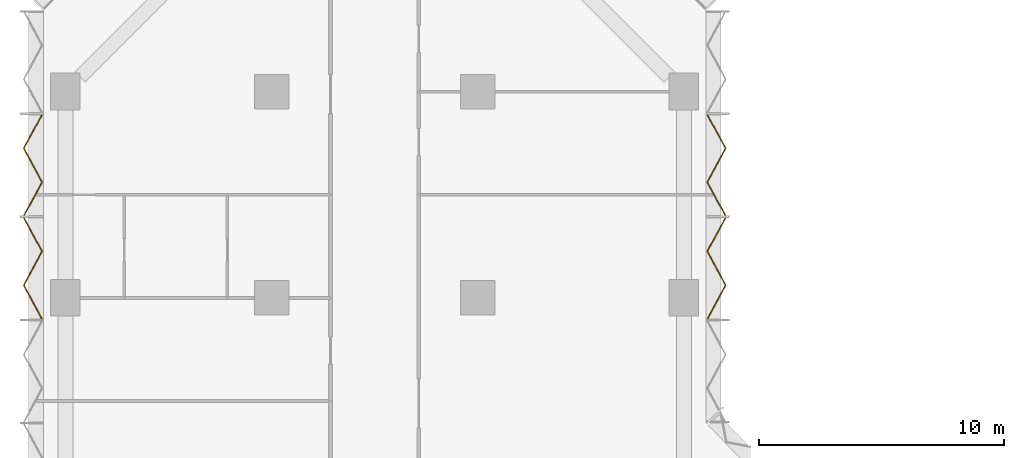
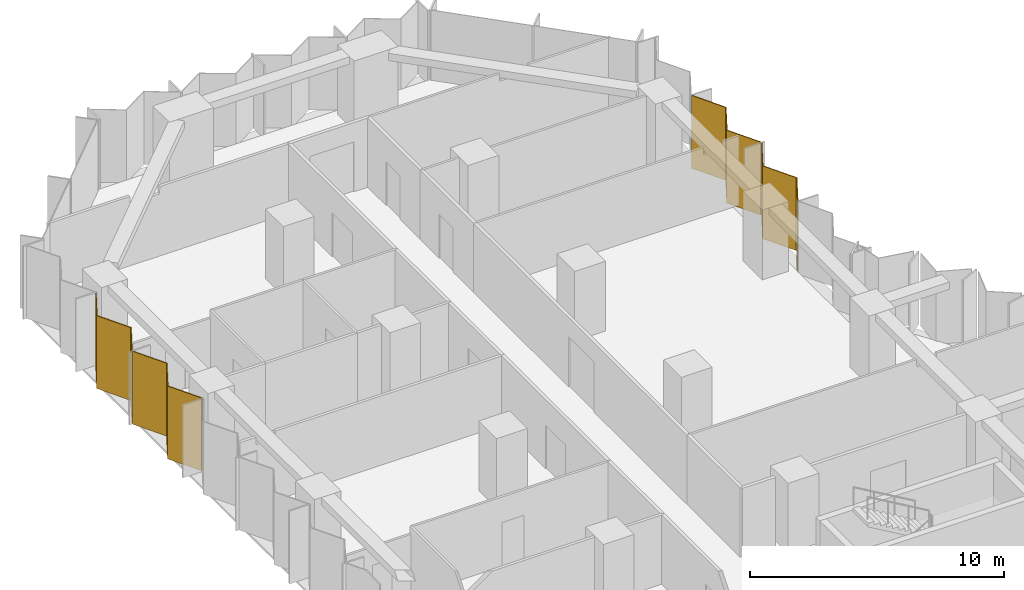
# One storey, part 15 of 15: 4 coverings, 2 elements without a shape of their own.
"""IFC4 building model written with IfcOpenShell, lengths in metres."""

from ifc_helpers import new_model, si_unit, direction, frame, origin, place, context, subcontext, project, spatial, polyline, outline, extrude, material, layer, layer_set, type_object, element, aggregate, save


model = new_model("IFC4")

# Units and contexts
model_context = context("Model", 3, precision=1e-05, world=origin(), true_north=direction((0.0, 1.0)))
body_context = subcontext(model_context, "Body", "Model", "MODEL_VIEW")
ifc_project = project(units=[si_unit("LENGTHUNIT", "METRE"), si_unit("AREAUNIT", "SQUARE_METRE"), si_unit("VOLUMEUNIT", "CUBIC_METRE"), si_unit("PLANEANGLEUNIT", "RADIAN"), si_unit("MASSUNIT", "GRAM", prefix="KILO")], contexts=[model_context])

# Site, building, storey
site_placement = place(None, origin())
site = spatial("IfcSite", under=ifc_project, at=site_placement, CompositionType="ELEMENT")
building_placement = place(site_placement, origin())
building = spatial("IfcBuilding", under=site, at=building_placement, Name="Brevane Broadcast Tower", CompositionType="ELEMENT")
storey_placement = place(building_placement, frame((0.0, 0.0, 79.699951171875)))
storey = spatial("IfcBuildingStorey", under=building, at=storey_placement, Name="L18", CompositionType="ELEMENT", Elevation=79.699951171875)

# Curtain wall, coverings
ifc_material_1 = material(Name="Aluminium 6063-T6 bronze anodised", Category="aluminium")
curtain_wall_type = type_object("IfcCurtainWallType", Name="CW-1 curtain wall", PredefinedType="NOTDEFINED", material=ifc_material_1)
curtain_wall_1_placement = place(storey_placement, origin())
curtain_wall_1 = element("IfcCurtainWall", 1, at=curtain_wall_1_placement, inside=storey, type_object=curtain_wall_type, Name="CW-1 typical tilted unit L18 north arm east face", PredefinedType="NOTDEFINED")
ifc_material_2 = material(Name="Back-painted bronze glass shadow-box", Category="glass")
ifc_layer = layer(ifc_material_2, 0.0400390625)
ifc_layer_set = layer_set([ifc_layer], Name="Shadow-box panel 40")
covering_type = type_object("IfcCoveringType", Name="Shadow-box panel 40", PredefinedType="CLADDING", material=ifc_layer_set)
covering_1_placement = place(storey_placement, frame((0.0, 0.0, -0.14990234375)))
covering_1 = element("IfcCovering", 2, at=covering_1_placement, type_object=covering_type, Name="Shadow-box panel", PredefinedType="CLADDING", context=body_context, shape_type="SweptSolid", body=[
    extrude(outline(polyline([(26.127197265625, 49.534912109375), (26.172607421875, 49.534912109375), (26.9169921875, 50.91162109375), (26.172607421875, 52.288330078125), (26.9169921875, 53.6650390625), (26.87158203125, 53.6650390625), (26.127197265625, 52.288330078125), (26.87158203125, 50.91162109375), (26.127197265625, 49.534912109375)])), origin(), (0.0, 0.0, 1.0), 3.5),
])
covering_2_placement = place(storey_placement, frame((0.0, 0.0, -0.14990234375)))
covering_2 = element("IfcCovering", 3, at=covering_2_placement, type_object=covering_type, Name="Shadow-box panel", PredefinedType="CLADDING", context=body_context, shape_type="SweptSolid", body=[
    extrude(outline(polyline([(26.87158203125, 53.735107421875), (26.9169921875, 53.735107421875), (26.172607421875, 55.11181640625), (26.9169921875, 56.48828125), (26.172607421875, 57.864990234375), (26.127197265625, 57.864990234375), (26.87158203125, 56.48828125), (26.127197265625, 55.11181640625), (26.87158203125, 53.735107421875)])), origin(), (0.0, 0.0, 1.0), 3.5),
])
aggregate(curtain_wall_1, [covering_1, covering_2])

curtain_wall_2_placement = place(storey_placement, origin())
curtain_wall_2 = element("IfcCurtainWall", 4, at=curtain_wall_2_placement, inside=storey, type_object=curtain_wall_type, Name="CW-1 typical tilted unit L18 west face", PredefinedType="NOTDEFINED")
covering_3_placement = place(storey_placement, frame((0.0, 0.0, -0.14990234375)))
covering_3 = element("IfcCovering", 5, at=covering_3_placement, type_object=covering_type, Name="Shadow-box panel", PredefinedType="CLADDING", context=body_context, shape_type="SweptSolid", body=[
    extrude(outline(polyline([(-0.92724609375, 57.864990234375), (-0.97265625, 57.864990234375), (-1.717041015625, 56.48828125), (-0.97265625, 55.11181640625), (-1.717041015625, 53.735107421875), (-1.671630859375, 53.735107421875), (-0.92724609375, 55.11181640625), (-1.671630859375, 56.48828125), (-0.92724609375, 57.864990234375)])), origin(), (0.0, 0.0, 1.0), 3.5),
])
covering_4_placement = place(storey_placement, frame((0.0, 0.0, -0.14990234375)))
covering_4 = element("IfcCovering", 6, at=covering_4_placement, type_object=covering_type, Name="Shadow-box panel", PredefinedType="CLADDING", context=body_context, shape_type="SweptSolid", body=[
    extrude(outline(polyline([(-1.671630859375, 53.6650390625), (-1.717041015625, 53.6650390625), (-0.97265625, 52.288330078125), (-1.717041015625, 50.91162109375), (-0.97265625, 49.534912109375), (-0.92724609375, 49.534912109375), (-1.671630859375, 50.91162109375), (-0.92724609375, 52.288330078125), (-1.671630859375, 53.6650390625)])), origin(), (0.0, 0.0, 1.0), 3.5),
])
aggregate(curtain_wall_2, [covering_3, covering_4])

save(model, "model.ifc")
